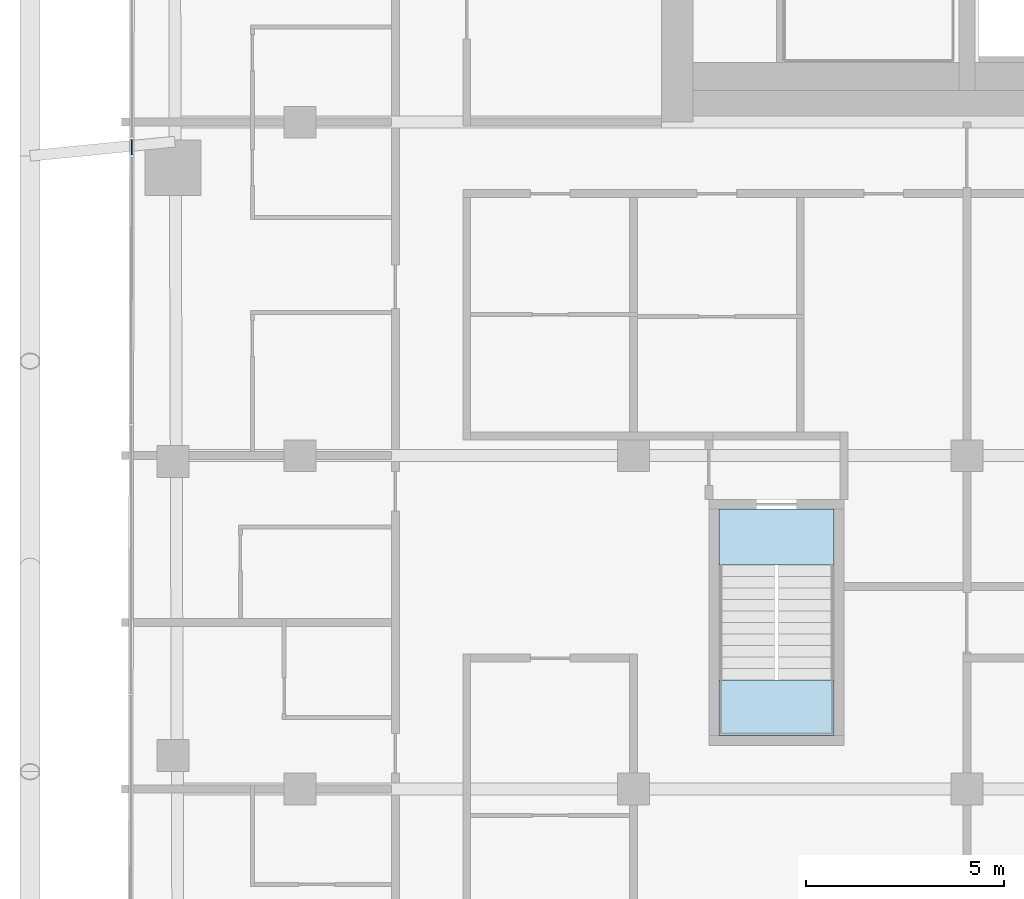
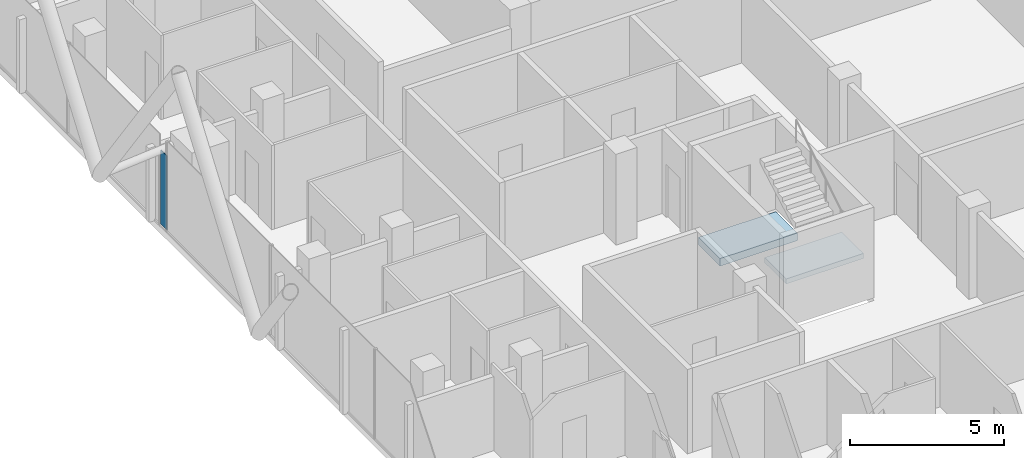
# One storey, part 16 of 31: 2 slabs, 1 plate, 2 elements without a shape of their own.
"""IFC4 building model written with IfcOpenShell, lengths in metres."""

from ifc_helpers import new_model, si_unit, direction, frame, origin, origin_2d, place, context, subcontext, project, spatial, polyline, rectangle, outline, extrude, material, layer, layer_set, type_object, element, aggregate, save


model = new_model("IFC4")

# Units and contexts
model_context = context("Model", 3, precision=1e-05, world=origin(), true_north=direction((0.0, 1.0)))
body_context = subcontext(model_context, "Body", "Model", "MODEL_VIEW")
ifc_project = project(units=[si_unit("LENGTHUNIT", "METRE"), si_unit("AREAUNIT", "SQUARE_METRE"), si_unit("VOLUMEUNIT", "CUBIC_METRE"), si_unit("PLANEANGLEUNIT", "RADIAN"), si_unit("MASSUNIT", "GRAM", prefix="KILO")], contexts=[model_context])

# Site, building, storey
site_placement = place(None, origin())
site = spatial("IfcSite", under=ifc_project, at=site_placement, CompositionType="ELEMENT")
building_placement = place(site_placement, origin())
building = spatial("IfcBuilding", under=site, at=building_placement, Name="Marenta Gate Hotel Tower", CompositionType="ELEMENT")
storey_placement = place(building_placement, frame((0.0, 0.0, 205.699951171875)))
storey = spatial("IfcBuildingStorey", under=building, at=storey_placement, Name="L47", CompositionType="ELEMENT", Elevation=205.699951171875)

# Curtain wall, plate
ifc_material_1 = material(Name="Tinted insulated glass in bronze anodised frame", Category="glass")
ifc_layer_1 = layer(ifc_material_1, 0.1201171875)
ifc_layer_set_1 = layer_set([ifc_layer_1], Name="Tinted insulated glass in bronze anodised frame")
curtain_wall_type = type_object("IfcCurtainWallType", Name="Tower unitised curtain wall CW1", PredefinedType="NOTDEFINED", material=ifc_layer_set_1)
curtain_wall_placement = place(storey_placement, origin())
curtain_wall = element("IfcCurtainWall", 1, at=curtain_wall_placement, inside=storey, type_object=curtain_wall_type, Name="CW1 run G07", PredefinedType="NOTDEFINED")
ifc_material_2 = material(Name="Tinted insulated glass", Category="glass")
ifc_layer_2 = layer(ifc_material_2, 0.028076171875)
ifc_layer_set_2 = layer_set([ifc_layer_2], Name="Tinted insulated glass")
plate_type = type_object("IfcPlateType", Name="Glass panel CW1 28 mm tinted insulated unit", PredefinedType="CURTAIN_PANEL", material=ifc_layer_set_2)
plate_placement = place(storey_placement, frame((-25.24072265625, -0.6279296875, 0.06005859375), z_axis=(0.0, 0.0, 1.0), x_axis=(-0.001537783778, -0.99999881761, 0.0)))
plate = element("IfcPlate", 2, at=plate_placement, type_object=plate_type, Name="CW1 panel 1.1", PredefinedType="CURTAIN_PANEL", context=body_context, shape_type="SweptSolid", body=[
    extrude(rectangle(XDim=0.395263671875, YDim=0.028076171875, at=origin_2d()), origin(), (0.0, 0.0, 1.0), 2.9404296875),
])
aggregate(curtain_wall, [plate])

# Stair, slab
ifc_material_3 = material(Name="Concrete C40", Category="concrete")
stair_type = type_object("IfcStairType", Name="Remote exit stair 1400 wide", PredefinedType="HALF_TURN_STAIR", material=ifc_material_3)
stair_placement = place(storey_placement, origin())
stair = element("IfcStair", 3, at=stair_placement, inside=storey, type_object=stair_type, Name="Exit stair RS-Z3-1", PredefinedType="HALF_TURN_STAIR")
ifc_material_4 = material(Name="Concrete C40", Category="concrete")
ifc_layer_3 = layer(ifc_material_4, 0.199951171875)
ifc_layer_set_3 = layer_set([ifc_layer_3], Name="Concrete C40")
slab_type_1 = type_object("IfcSlabType", Name="Remote stair landing 200", PredefinedType="LANDING", material=ifc_layer_set_3)
slab_1_placement = place(storey_placement, frame((0.0, 0.0, 1.60009765625)))
slab_1 = element("IfcSlab", 4, at=slab_1_placement, type_object=slab_type_1, Name="RL-200 RS-Z3-1 landing 1", PredefinedType="LANDING", context=body_context, shape_type="SweptSolid", body=[
    extrude(outline(polyline([(-10.449951171875, -15.449951171875), (-7.550048828125, -15.449951171875), (-7.550048828125, -14.050048828125), (-10.449951171875, -14.050048828125), (-10.449951171875, -15.449951171875)])), origin(), (0.0, 0.0, 1.0), 0.199951171875),
])
aggregate(stair, [slab_1])

# Slab
ifc_material_5 = material(Name="Concrete C40", Category="concrete")
ifc_layer_4 = layer(ifc_material_5, 0.300048828125)
ifc_layer_set_4 = layer_set([ifc_layer_4], Name="Concrete C40")
slab_type_2 = type_object("IfcSlabType", Name="Stair floor landing slab 300", PredefinedType="FLOOR", material=ifc_layer_set_4)
slab_2_placement = place(storey_placement, frame((0.0, 0.0, -0.300048828125)))
element("IfcSlab", 5, at=slab_2_placement, inside=storey, type_object=slab_type_2, Name="L47-RS-Z3-1-CL", PredefinedType="FLOOR", context=body_context, shape_type="SweptSolid", body=[
    extrude(outline(polyline([(-7.550048828125, -11.14990234375), (-7.550048828125, -9.75), (-10.449951171875, -9.75), (-10.449951171875, -11.14990234375), (-7.550048828125, -11.14990234375)])), origin(), (0.0, 0.0, 1.0), 0.300048828125),
])

save(model, "model.ifc")
